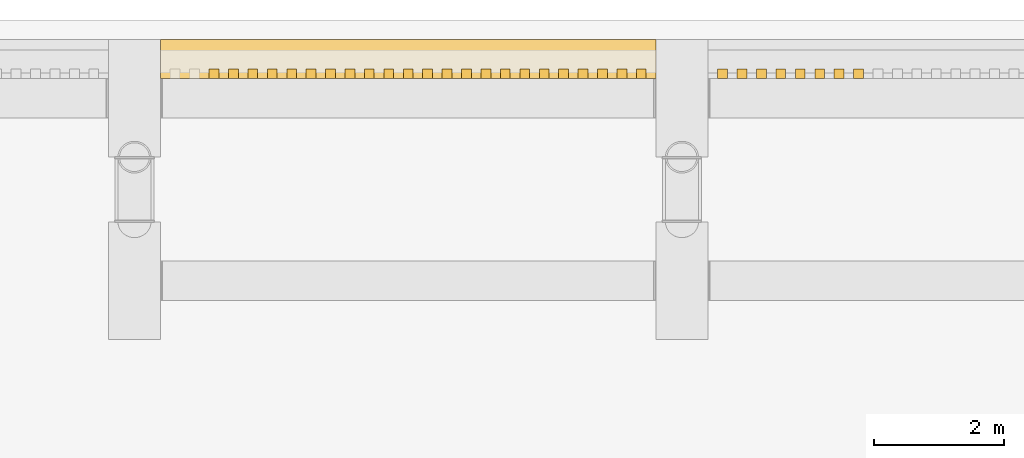
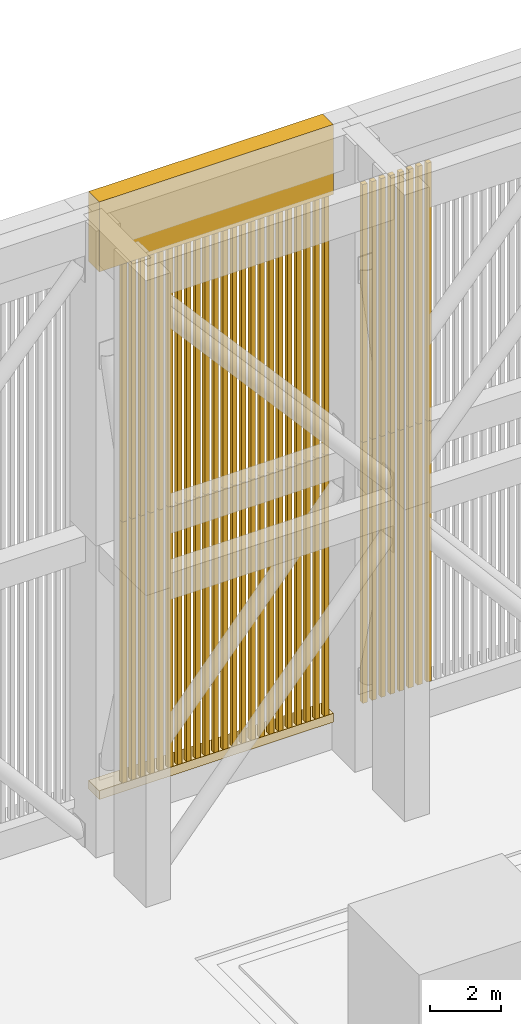
# One storey, part 24 of 27: 62 shading devices, 2 coverings.
"""IFC4 building model written with IfcOpenShell, lengths in metres."""

import ifcopenshell
import ifcopenshell.guid

model = None  # the IFC model being written
_history = None  # IfcOwnerHistory: only IFC2X3 demands one
_inside = {}  # id of a spatial element -> (the spatial element, [elements in it])
_under = {}  # id of a project, library or spatial element -> (it, [spatial elements below it])
_declared = {}  # id of a project -> (the project, [libraries it declares])
_typed = {}  # id of a type object -> (the type object, [elements of that type])
_made_of = {}  # id of a material, layer set ... -> (it, [elements and type objects made of it])


def new_model(schema):
    """Start an empty IFC model of exactly this schema.

    Asked for "IFC4X3", IfcOpenShell would pick the latest addendum, in which some entities
    have other attributes; the version numbers below select the first issue.
    IFC2X3 requires an IfcOwnerHistory on every rooted entity: one is made here for all.
    """
    global model, _history
    if schema == "IFC4X3":
        model = ifcopenshell.file(schema_version=(4, 3, 0, 0))
    else:
        model = ifcopenshell.file(schema=schema)
    _inside.clear()
    _under.clear()
    _declared.clear()
    _typed.clear()
    _made_of.clear()
    _history = None
    if model.schema == "IFC2X3":
        org = make("IfcOrganization", Name="unknown")
        user = make(
            "IfcPersonAndOrganization",
            ThePerson=make("IfcPerson", FamilyName="unknown"),
            TheOrganization=org,
        )
        app = make(
            "IfcApplication",
            ApplicationDeveloper=org,
            Version="unknown",
            ApplicationFullName="unknown",
            ApplicationIdentifier="unknown",
        )
        _history = make(
            "IfcOwnerHistory",
            OwningUser=user,
            OwningApplication=app,
            ChangeAction="ADDED",
            CreationDate=0,
        )
    return model


def make(cls, **values):
    """One entity of the class cls with the attributes given. An attribute that is None is left unset."""
    return model.create_entity(
        cls, **{name: value for name, value in values.items() if value is not None}
    )


def rooted(cls, **values):
    """An entity with a GlobalId (a new one), such as an element, a storey or a relation."""
    return make(cls, GlobalId=ifcopenshell.guid.new(), OwnerHistory=_history, **values)


def si_unit(unit_type, name, prefix=None):
    """IfcSIUnit, for example si_unit("LENGTHUNIT", "METRE", prefix="MILLI")."""
    return make("IfcSIUnit", UnitType=unit_type, Prefix=prefix, Name=name)


def assignment(units):
    """IfcUnitAssignment: the units of a project."""
    return None if units is None else make("IfcUnitAssignment", Units=units)


def point(xyz):
    """IfcCartesianPoint."""
    return None if xyz is None else make("IfcCartesianPoint", Coordinates=xyz)


def direction(xyz):
    """IfcDirection."""
    return None if xyz is None else make("IfcDirection", DirectionRatios=xyz)


def frame(location, z_axis=None, x_axis=None):
    """IfcAxis2Placement3D, a coordinate frame: its origin and axes. An axis left out is left unset."""
    return make(
        "IfcAxis2Placement3D",
        Location=point(location),
        Axis=direction(z_axis),
        RefDirection=direction(x_axis),
    )


def frame_2d(location, x_axis=None):
    """IfcAxis2Placement2D, a coordinate frame in the plane: its origin and x axis."""
    return make(
        "IfcAxis2Placement2D", Location=point(location), RefDirection=direction(x_axis)
    )


def origin():
    """The frame at (0, 0, 0) with its axes left unset."""
    return frame((0.0, 0.0, 0.0))


def origin_2d():
    """The frame at (0, 0) in the plane with its x axis left unset."""
    return frame_2d((0.0, 0.0))


def place(relative_to, where):
    """IfcLocalPlacement: puts the frame where relative to a parent placement (None: the world)."""
    return make(
        "IfcLocalPlacement", PlacementRelTo=relative_to, RelativePlacement=where
    )


def context(
    kind, dimensions, precision=None, world=None, true_north=None, identifier=None
):
    """IfcGeometricRepresentationContext, for example the 3D "Model" context."""
    return make(
        "IfcGeometricRepresentationContext",
        ContextIdentifier=identifier,
        ContextType=kind,
        CoordinateSpaceDimension=dimensions,
        Precision=precision,
        WorldCoordinateSystem=world,
        TrueNorth=true_north,
    )


def subcontext(parent, identifier, kind, view, scale=None):
    """IfcGeometricRepresentationSubContext, for example "Body" below "Model"."""
    return make(
        "IfcGeometricRepresentationSubContext",
        ContextIdentifier=identifier,
        ContextType=kind,
        ParentContext=parent,
        TargetScale=scale,
        TargetView=view,
    )


def project(units=None, contexts=None):
    """IfcProject with its units and contexts."""
    return rooted(
        "IfcProject",
        Name="project",
        RepresentationContexts=contexts,
        UnitsInContext=assignment(units),
    )


def spatial(cls, under=None, at=None, **own):
    """A site, building, storey or space (cls), placed at a placement, below another one or the project."""
    s = rooted(cls, ObjectPlacement=at, **own)
    if under is not None:
        _under.setdefault(under.id(), (under, []))[1].append(s)
    return s


def profile(cls, at=None, kind="AREA", **sizes):
    """A parametric profile (cls). Its sizes go by their IFC names, for example OverallWidth=200.0."""
    return make(cls, ProfileType=kind, Position=at, **sizes)


def rectangle(**sizes):
    """IfcRectangleProfileDef."""
    return profile("IfcRectangleProfileDef", **sizes)


def extrude(swept, where, along, depth):
    """IfcExtrudedAreaSolid: the profile swept, set in the frame where, extruded along a direction by depth."""
    return make(
        "IfcExtrudedAreaSolid",
        SweptArea=swept,
        Position=where,
        ExtrudedDirection=direction(along),
        Depth=depth,
    )


def shape(context_of_items, identifier, shape_type, items):
    """IfcShapeRepresentation: the items that make up one representation, for example the "Body"."""
    return make(
        "IfcShapeRepresentation",
        ContextOfItems=context_of_items,
        RepresentationIdentifier=identifier,
        RepresentationType=shape_type,
        Items=items,
    )


def material(Name=None, Category=None):
    """IfcMaterial."""
    return make("IfcMaterial", Name=Name, Category=Category)


def layer(
    of_material, thickness, ventilated=None, Name=None, Category=None, Priority=None
):
    """IfcMaterialLayer: one layer of a wall or slab, of a material (None: an air gap)."""
    return make(
        "IfcMaterialLayer",
        Material=of_material,
        LayerThickness=thickness,
        IsVentilated=ventilated,
        Name=Name,
        Category=Category,
        Priority=Priority,
    )


def layer_set(layers, Name=None):
    """IfcMaterialLayerSet."""
    return make("IfcMaterialLayerSet", MaterialLayers=layers, LayerSetName=Name)


def made_of(thing, what):
    """Note that an element or type object is made of a material, layer set ...; save() writes the relation."""
    if what is not None:
        _made_of.setdefault(what.id(), (what, []))[1].append(thing)
    return thing


def type_object(cls, material=None, **own):
    """A type object (cls), such as IfcWallType, which elements share."""
    return made_of(rooted(cls, **own), material)


def element(
    cls,
    number,
    at=None,
    inside=None,
    cuts=None,
    type_object=None,
    material=None,
    context=None,
    identifier="Body",
    shape_type=None,
    held_by="IfcProductDefinitionShape",
    body=None,
    shapes=None,
    **own,
):
    """One element of the class cls, such as IfcWall. Its Tag is "e" and its number.

    at: its placement. inside: the storey or other place that contains it. cuts: it is an
    opening in that element (IfcRelVoidsElement). A single representation is given by context,
    identifier, shape_type and body (its items); several are given by shapes. held_by: the class
    of the entity that holds the representations. save() writes the other relations.
    """
    e = rooted(cls, Tag="e%d" % number, ObjectPlacement=at, **own)
    if body is not None:
        shapes = [shape(context, identifier, shape_type, body)]
    if shapes is not None:
        e.Representation = make(held_by, Representations=shapes)
    if inside is not None:
        _inside.setdefault(inside.id(), (inside, []))[1].append(e)
    if cuts is not None:
        rooted(
            "IfcRelVoidsElement", RelatingBuildingElement=cuts, RelatedOpeningElement=e
        )
    if type_object is not None:
        _typed.setdefault(type_object.id(), (type_object, []))[1].append(e)
    return made_of(e, material)


def aggregate(whole, parts):
    """IfcRelAggregates: a whole, such as a stair, and the parts it consists of."""
    return rooted("IfcRelAggregates", RelatingObject=whole, RelatedObjects=parts)


def save(model, path):
    """Write the relations noted so far, then the file.

    IfcRelAggregates (storeys below a building ...), IfcRelContainedInSpatialStructure (elements
    in a storey), IfcRelDefinesByType, IfcRelAssociatesMaterial and IfcRelDeclares: one each for
    every whole, place, type object, material and project.
    """
    for whole, parts in _under.values():
        aggregate(whole, parts)
    for where, things in _inside.values():
        rooted(
            "IfcRelContainedInSpatialStructure",
            RelatedElements=things,
            RelatingStructure=where,
        )
    for kind, things in _typed.values():
        rooted("IfcRelDefinesByType", RelatedObjects=things, RelatingType=kind)
    for what, things in _made_of.values():
        rooted("IfcRelAssociatesMaterial", RelatedObjects=things, RelatingMaterial=what)
    for by, libraries in _declared.values():
        rooted("IfcRelDeclares", RelatingContext=by, RelatedDefinitions=libraries)
    model.write(path)


model = new_model("IFC4")

# Units and contexts
model_context = context("Model", 3, precision=1e-05, world=origin(), true_north=direction((0.0, 1.0)))
body_context = subcontext(model_context, "Body", "Model", "MODEL_VIEW")
ifc_project = project(units=[si_unit("LENGTHUNIT", "METRE"), si_unit("AREAUNIT", "SQUARE_METRE"), si_unit("VOLUMEUNIT", "CUBIC_METRE"), si_unit("PLANEANGLEUNIT", "RADIAN"), si_unit("MASSUNIT", "GRAM", prefix="KILO")], contexts=[model_context])

# Site, building, storey
site_placement = place(None, origin())
site = spatial("IfcSite", under=ifc_project, at=site_placement, CompositionType="ELEMENT")
building_placement = place(site_placement, origin())
building = spatial("IfcBuilding", under=site, at=building_placement, Name="Claustro Exchange Tower", CompositionType="ELEMENT")
storey_placement = place(building_placement, frame((0.0, 0.0, 287.10009765625)))
storey = spatial("IfcBuildingStorey", under=building, at=storey_placement, Name="ROOF", CompositionType="ELEMENT", Elevation=287.10009765625)

# Coverings
ifc_material_1 = material(Name="Concrete HA-40 (C40/50), precast, white cement, acid-etched", Category="concrete")
ifc_layer = layer(ifc_material_1, 0.60009765625)
ifc_layer_set = layer_set([ifc_layer], Name="Concrete HA-40 (C40/50), precast, white cement, acid-etched")
covering_type = type_object("IfcCoveringType", Name="CC2 600 precast concrete crown moulding", PredefinedType="MOLDING", material=ifc_layer_set)
covering_1_placement = place(storey_placement, frame((37.800048828125, 45.400390625, 1.10009765625), z_axis=(0.0, 0.0, 1.0), x_axis=(1.0, 0.0, 0.0)))
element("IfcCovering", 1, at=covering_1_placement, inside=storey, type_object=covering_type, Name="CROWN SILL CC2 5/F+2800 - 6/F+2800", PredefinedType="MOLDING", context=body_context, shape_type="SweptSolid", body=[
    extrude(rectangle(XDim=7.59912109375, YDim=0.60009765625, at=origin_2d()), origin(), (0.0, 0.0, 1.0), 0.300048828125),
])
covering_2_placement = place(storey_placement, frame((37.800048828125, 45.400390625, 19.199951171875), z_axis=(0.0, 0.0, 1.0), x_axis=(1.0, 0.0, 0.0)))
element("IfcCovering", 2, at=covering_2_placement, inside=storey, type_object=covering_type, Name="CROWN CORNICE CC2 5/F+2800 - 6/F+2800", PredefinedType="MOLDING", context=body_context, shape_type="SweptSolid", body=[
    extrude(rectangle(XDim=7.59912109375, YDim=0.60009765625, at=origin_2d()), origin(), (0.0, 0.0, 1.0), 2.39990234375),
])

# Shading devices
ifc_material_2 = material(Name="Concrete HA-40 (C40/50), precast, white cement, acid-etched", Category="concrete")
shading_device_type = type_object("IfcShadingDeviceType", Name="LV1 150 x 150 precast concrete crown louvre", PredefinedType="USERDEFINED", material=ifc_material_2)
shading_device_1_placement = place(storey_placement, frame((34.819580078125, 45.175537109375, 1.39990234375), z_axis=(0.0, 0.0, 1.0), x_axis=(1.0, 0.0, 0.0)))
element("IfcShadingDevice", 3, at=shading_device_1_placement, inside=storey, type_object=shading_device_type, Name="CROWN LOUVRE LV1 5/F+2800 - 6/F+2800 03 lower", ObjectType="CROWN LOUVRE", PredefinedType="USERDEFINED", context=body_context, shape_type="SweptSolid", body=[
    extrude(rectangle(XDim=0.14990234375, YDim=0.14990234375, at=origin_2d()), origin(), (0.0, 0.0, 1.0), 8.949951171875),
])
shading_device_2_placement = place(storey_placement, frame((34.819580078125, 45.175537109375, 10.349853515625), z_axis=(0.0, 0.0, 1.0), x_axis=(1.0, 0.0, 0.0)))
element("IfcShadingDevice", 4, at=shading_device_2_placement, inside=storey, type_object=shading_device_type, Name="CROWN LOUVRE LV1 5/F+2800 - 6/F+2800 03 upper", ObjectType="CROWN LOUVRE", PredefinedType="USERDEFINED", context=body_context, shape_type="SweptSolid", body=[
    extrude(rectangle(XDim=0.14990234375, YDim=0.14990234375, at=origin_2d()), origin(), (0.0, 0.0, 1.0), 8.85009765625),
])
shading_device_3_placement = place(storey_placement, frame((35.11767578125, 45.175537109375, 1.39990234375), z_axis=(0.0, 0.0, 1.0), x_axis=(1.0, 0.0, 0.0)))
element("IfcShadingDevice", 5, at=shading_device_3_placement, inside=storey, type_object=shading_device_type, Name="CROWN LOUVRE LV1 5/F+2800 - 6/F+2800 04 lower", ObjectType="CROWN LOUVRE", PredefinedType="USERDEFINED", context=body_context, shape_type="SweptSolid", body=[
    extrude(rectangle(XDim=0.14990234375, YDim=0.14990234375, at=origin_2d()), origin(), (0.0, 0.0, 1.0), 8.949951171875),
])
shading_device_4_placement = place(storey_placement, frame((35.11767578125, 45.175537109375, 10.349853515625), z_axis=(0.0, 0.0, 1.0), x_axis=(1.0, 0.0, 0.0)))
element("IfcShadingDevice", 6, at=shading_device_4_placement, inside=storey, type_object=shading_device_type, Name="CROWN LOUVRE LV1 5/F+2800 - 6/F+2800 04 upper", ObjectType="CROWN LOUVRE", PredefinedType="USERDEFINED", context=body_context, shape_type="SweptSolid", body=[
    extrude(rectangle(XDim=0.14990234375, YDim=0.14990234375, at=origin_2d()), origin(), (0.0, 0.0, 1.0), 8.85009765625),
])
shading_device_5_placement = place(storey_placement, frame((35.415771484375, 45.175537109375, 1.39990234375), z_axis=(0.0, 0.0, 1.0), x_axis=(1.0, 0.0, 0.0)))
element("IfcShadingDevice", 7, at=shading_device_5_placement, inside=storey, type_object=shading_device_type, Name="CROWN LOUVRE LV1 5/F+2800 - 6/F+2800 05 lower", ObjectType="CROWN LOUVRE", PredefinedType="USERDEFINED", context=body_context, shape_type="SweptSolid", body=[
    extrude(rectangle(XDim=0.14990234375, YDim=0.14990234375, at=origin_2d()), origin(), (0.0, 0.0, 1.0), 8.949951171875),
])
shading_device_6_placement = place(storey_placement, frame((35.415771484375, 45.175537109375, 10.349853515625), z_axis=(0.0, 0.0, 1.0), x_axis=(1.0, 0.0, 0.0)))
element("IfcShadingDevice", 8, at=shading_device_6_placement, inside=storey, type_object=shading_device_type, Name="CROWN LOUVRE LV1 5/F+2800 - 6/F+2800 05 upper", ObjectType="CROWN LOUVRE", PredefinedType="USERDEFINED", context=body_context, shape_type="SweptSolid", body=[
    extrude(rectangle(XDim=0.14990234375, YDim=0.14990234375, at=origin_2d()), origin(), (0.0, 0.0, 1.0), 8.85009765625),
])
shading_device_7_placement = place(storey_placement, frame((35.713623046875, 45.175537109375, 1.39990234375), z_axis=(0.0, 0.0, 1.0), x_axis=(1.0, 0.0, 0.0)))
element("IfcShadingDevice", 9, at=shading_device_7_placement, inside=storey, type_object=shading_device_type, Name="CROWN LOUVRE LV1 5/F+2800 - 6/F+2800 06 lower", ObjectType="CROWN LOUVRE", PredefinedType="USERDEFINED", context=body_context, shape_type="SweptSolid", body=[
    extrude(rectangle(XDim=0.14990234375, YDim=0.14990234375, at=origin_2d()), origin(), (0.0, 0.0, 1.0), 8.949951171875),
])
shading_device_8_placement = place(storey_placement, frame((35.713623046875, 45.175537109375, 10.349853515625), z_axis=(0.0, 0.0, 1.0), x_axis=(1.0, 0.0, 0.0)))
element("IfcShadingDevice", 10, at=shading_device_8_placement, inside=storey, type_object=shading_device_type, Name="CROWN LOUVRE LV1 5/F+2800 - 6/F+2800 06 upper", ObjectType="CROWN LOUVRE", PredefinedType="USERDEFINED", context=body_context, shape_type="SweptSolid", body=[
    extrude(rectangle(XDim=0.14990234375, YDim=0.14990234375, at=origin_2d()), origin(), (0.0, 0.0, 1.0), 8.85009765625),
])
shading_device_9_placement = place(storey_placement, frame((36.01171875, 45.175537109375, 1.39990234375), z_axis=(0.0, 0.0, 1.0), x_axis=(1.0, 0.0, 0.0)))
element("IfcShadingDevice", 11, at=shading_device_9_placement, inside=storey, type_object=shading_device_type, Name="CROWN LOUVRE LV1 5/F+2800 - 6/F+2800 07 lower", ObjectType="CROWN LOUVRE", PredefinedType="USERDEFINED", context=body_context, shape_type="SweptSolid", body=[
    extrude(rectangle(XDim=0.14990234375, YDim=0.14990234375, at=origin_2d()), origin(), (0.0, 0.0, 1.0), 8.949951171875),
])
shading_device_10_placement = place(storey_placement, frame((36.01171875, 45.175537109375, 10.349853515625), z_axis=(0.0, 0.0, 1.0), x_axis=(1.0, 0.0, 0.0)))
element("IfcShadingDevice", 12, at=shading_device_10_placement, inside=storey, type_object=shading_device_type, Name="CROWN LOUVRE LV1 5/F+2800 - 6/F+2800 07 upper", ObjectType="CROWN LOUVRE", PredefinedType="USERDEFINED", context=body_context, shape_type="SweptSolid", body=[
    extrude(rectangle(XDim=0.14990234375, YDim=0.14990234375, at=origin_2d()), origin(), (0.0, 0.0, 1.0), 8.85009765625),
])
shading_device_11_placement = place(storey_placement, frame((36.309814453125, 45.175537109375, 1.39990234375), z_axis=(0.0, 0.0, 1.0), x_axis=(1.0, 0.0, 0.0)))
element("IfcShadingDevice", 13, at=shading_device_11_placement, inside=storey, type_object=shading_device_type, Name="CROWN LOUVRE LV1 5/F+2800 - 6/F+2800 08 lower", ObjectType="CROWN LOUVRE", PredefinedType="USERDEFINED", context=body_context, shape_type="SweptSolid", body=[
    extrude(rectangle(XDim=0.14990234375, YDim=0.14990234375, at=origin_2d()), origin(), (0.0, 0.0, 1.0), 8.949951171875),
])
shading_device_12_placement = place(storey_placement, frame((36.309814453125, 45.175537109375, 10.349853515625), z_axis=(0.0, 0.0, 1.0), x_axis=(1.0, 0.0, 0.0)))
element("IfcShadingDevice", 14, at=shading_device_12_placement, inside=storey, type_object=shading_device_type, Name="CROWN LOUVRE LV1 5/F+2800 - 6/F+2800 08 upper", ObjectType="CROWN LOUVRE", PredefinedType="USERDEFINED", context=body_context, shape_type="SweptSolid", body=[
    extrude(rectangle(XDim=0.14990234375, YDim=0.14990234375, at=origin_2d()), origin(), (0.0, 0.0, 1.0), 8.85009765625),
])
shading_device_13_placement = place(storey_placement, frame((36.60791015625, 45.175537109375, 1.39990234375), z_axis=(0.0, 0.0, 1.0), x_axis=(1.0, 0.0, 0.0)))
element("IfcShadingDevice", 15, at=shading_device_13_placement, inside=storey, type_object=shading_device_type, Name="CROWN LOUVRE LV1 5/F+2800 - 6/F+2800 09 lower", ObjectType="CROWN LOUVRE", PredefinedType="USERDEFINED", context=body_context, shape_type="SweptSolid", body=[
    extrude(rectangle(XDim=0.14990234375, YDim=0.14990234375, at=origin_2d()), origin(), (0.0, 0.0, 1.0), 8.949951171875),
])
shading_device_14_placement = place(storey_placement, frame((36.60791015625, 45.175537109375, 10.349853515625), z_axis=(0.0, 0.0, 1.0), x_axis=(1.0, 0.0, 0.0)))
element("IfcShadingDevice", 16, at=shading_device_14_placement, inside=storey, type_object=shading_device_type, Name="CROWN LOUVRE LV1 5/F+2800 - 6/F+2800 09 upper", ObjectType="CROWN LOUVRE", PredefinedType="USERDEFINED", context=body_context, shape_type="SweptSolid", body=[
    extrude(rectangle(XDim=0.14990234375, YDim=0.14990234375, at=origin_2d()), origin(), (0.0, 0.0, 1.0), 8.85009765625),
])
shading_device_15_placement = place(storey_placement, frame((36.906005859375, 45.175537109375, 1.39990234375), z_axis=(0.0, 0.0, 1.0), x_axis=(1.0, 0.0, 0.0)))
element("IfcShadingDevice", 17, at=shading_device_15_placement, inside=storey, type_object=shading_device_type, Name="CROWN LOUVRE LV1 5/F+2800 - 6/F+2800 10 lower", ObjectType="CROWN LOUVRE", PredefinedType="USERDEFINED", context=body_context, shape_type="SweptSolid", body=[
    extrude(rectangle(XDim=0.14990234375, YDim=0.14990234375, at=origin_2d()), origin(), (0.0, 0.0, 1.0), 8.949951171875),
])
shading_device_16_placement = place(storey_placement, frame((36.906005859375, 45.175537109375, 10.349853515625), z_axis=(0.0, 0.0, 1.0), x_axis=(1.0, 0.0, 0.0)))
element("IfcShadingDevice", 18, at=shading_device_16_placement, inside=storey, type_object=shading_device_type, Name="CROWN LOUVRE LV1 5/F+2800 - 6/F+2800 10 upper", ObjectType="CROWN LOUVRE", PredefinedType="USERDEFINED", context=body_context, shape_type="SweptSolid", body=[
    extrude(rectangle(XDim=0.14990234375, YDim=0.14990234375, at=origin_2d()), origin(), (0.0, 0.0, 1.0), 8.85009765625),
])
shading_device_17_placement = place(storey_placement, frame((37.203857421875, 45.175537109375, 1.39990234375), z_axis=(0.0, 0.0, 1.0), x_axis=(1.0, 0.0, 0.0)))
element("IfcShadingDevice", 19, at=shading_device_17_placement, inside=storey, type_object=shading_device_type, Name="CROWN LOUVRE LV1 5/F+2800 - 6/F+2800 11 lower", ObjectType="CROWN LOUVRE", PredefinedType="USERDEFINED", context=body_context, shape_type="SweptSolid", body=[
    extrude(rectangle(XDim=0.14990234375, YDim=0.14990234375, at=origin_2d()), origin(), (0.0, 0.0, 1.0), 8.949951171875),
])
shading_device_18_placement = place(storey_placement, frame((37.203857421875, 45.175537109375, 10.349853515625), z_axis=(0.0, 0.0, 1.0), x_axis=(1.0, 0.0, 0.0)))
element("IfcShadingDevice", 20, at=shading_device_18_placement, inside=storey, type_object=shading_device_type, Name="CROWN LOUVRE LV1 5/F+2800 - 6/F+2800 11 upper", ObjectType="CROWN LOUVRE", PredefinedType="USERDEFINED", context=body_context, shape_type="SweptSolid", body=[
    extrude(rectangle(XDim=0.14990234375, YDim=0.14990234375, at=origin_2d()), origin(), (0.0, 0.0, 1.0), 8.85009765625),
])
shading_device_19_placement = place(storey_placement, frame((37.501953125, 45.175537109375, 1.39990234375), z_axis=(0.0, 0.0, 1.0), x_axis=(1.0, 0.0, 0.0)))
element("IfcShadingDevice", 21, at=shading_device_19_placement, inside=storey, type_object=shading_device_type, Name="CROWN LOUVRE LV1 5/F+2800 - 6/F+2800 12 lower", ObjectType="CROWN LOUVRE", PredefinedType="USERDEFINED", context=body_context, shape_type="SweptSolid", body=[
    extrude(rectangle(XDim=0.14990234375, YDim=0.14990234375, at=origin_2d()), origin(), (0.0, 0.0, 1.0), 8.949951171875),
])
shading_device_20_placement = place(storey_placement, frame((37.501953125, 45.175537109375, 10.349853515625), z_axis=(0.0, 0.0, 1.0), x_axis=(1.0, 0.0, 0.0)))
element("IfcShadingDevice", 22, at=shading_device_20_placement, inside=storey, type_object=shading_device_type, Name="CROWN LOUVRE LV1 5/F+2800 - 6/F+2800 12 upper", ObjectType="CROWN LOUVRE", PredefinedType="USERDEFINED", context=body_context, shape_type="SweptSolid", body=[
    extrude(rectangle(XDim=0.14990234375, YDim=0.14990234375, at=origin_2d()), origin(), (0.0, 0.0, 1.0), 8.85009765625),
])
shading_device_21_placement = place(storey_placement, frame((37.800048828125, 45.175537109375, 1.39990234375), z_axis=(0.0, 0.0, 1.0), x_axis=(1.0, 0.0, 0.0)))
element("IfcShadingDevice", 23, at=shading_device_21_placement, inside=storey, type_object=shading_device_type, Name="CROWN LOUVRE LV1 5/F+2800 - 6/F+2800 13 lower", ObjectType="CROWN LOUVRE", PredefinedType="USERDEFINED", context=body_context, shape_type="SweptSolid", body=[
    extrude(rectangle(XDim=0.14990234375, YDim=0.14990234375, at=origin_2d()), origin(), (0.0, 0.0, 1.0), 8.949951171875),
])
shading_device_22_placement = place(storey_placement, frame((37.800048828125, 45.175537109375, 10.349853515625), z_axis=(0.0, 0.0, 1.0), x_axis=(1.0, 0.0, 0.0)))
element("IfcShadingDevice", 24, at=shading_device_22_placement, inside=storey, type_object=shading_device_type, Name="CROWN LOUVRE LV1 5/F+2800 - 6/F+2800 13 upper", ObjectType="CROWN LOUVRE", PredefinedType="USERDEFINED", context=body_context, shape_type="SweptSolid", body=[
    extrude(rectangle(XDim=0.14990234375, YDim=0.14990234375, at=origin_2d()), origin(), (0.0, 0.0, 1.0), 8.85009765625),
])
shading_device_23_placement = place(storey_placement, frame((38.097900390625, 45.175537109375, 1.39990234375), z_axis=(0.0, 0.0, 1.0), x_axis=(1.0, 0.0, 0.0)))
element("IfcShadingDevice", 25, at=shading_device_23_placement, inside=storey, type_object=shading_device_type, Name="CROWN LOUVRE LV1 5/F+2800 - 6/F+2800 14 lower", ObjectType="CROWN LOUVRE", PredefinedType="USERDEFINED", context=body_context, shape_type="SweptSolid", body=[
    extrude(rectangle(XDim=0.14990234375, YDim=0.14990234375, at=origin_2d()), origin(), (0.0, 0.0, 1.0), 8.949951171875),
])
shading_device_24_placement = place(storey_placement, frame((38.097900390625, 45.175537109375, 10.349853515625), z_axis=(0.0, 0.0, 1.0), x_axis=(1.0, 0.0, 0.0)))
element("IfcShadingDevice", 26, at=shading_device_24_placement, inside=storey, type_object=shading_device_type, Name="CROWN LOUVRE LV1 5/F+2800 - 6/F+2800 14 upper", ObjectType="CROWN LOUVRE", PredefinedType="USERDEFINED", context=body_context, shape_type="SweptSolid", body=[
    extrude(rectangle(XDim=0.14990234375, YDim=0.14990234375, at=origin_2d()), origin(), (0.0, 0.0, 1.0), 8.85009765625),
])
shading_device_25_placement = place(storey_placement, frame((38.39599609375, 45.175537109375, 1.39990234375), z_axis=(0.0, 0.0, 1.0), x_axis=(1.0, 0.0, 0.0)))
element("IfcShadingDevice", 27, at=shading_device_25_placement, inside=storey, type_object=shading_device_type, Name="CROWN LOUVRE LV1 5/F+2800 - 6/F+2800 15 lower", ObjectType="CROWN LOUVRE", PredefinedType="USERDEFINED", context=body_context, shape_type="SweptSolid", body=[
    extrude(rectangle(XDim=0.14990234375, YDim=0.14990234375, at=origin_2d()), origin(), (0.0, 0.0, 1.0), 8.949951171875),
])
shading_device_26_placement = place(storey_placement, frame((38.39599609375, 45.175537109375, 10.349853515625), z_axis=(0.0, 0.0, 1.0), x_axis=(1.0, 0.0, 0.0)))
element("IfcShadingDevice", 28, at=shading_device_26_placement, inside=storey, type_object=shading_device_type, Name="CROWN LOUVRE LV1 5/F+2800 - 6/F+2800 15 upper", ObjectType="CROWN LOUVRE", PredefinedType="USERDEFINED", context=body_context, shape_type="SweptSolid", body=[
    extrude(rectangle(XDim=0.14990234375, YDim=0.14990234375, at=origin_2d()), origin(), (0.0, 0.0, 1.0), 8.85009765625),
])
shading_device_27_placement = place(storey_placement, frame((38.694091796875, 45.175537109375, 1.39990234375), z_axis=(0.0, 0.0, 1.0), x_axis=(1.0, 0.0, 0.0)))
element("IfcShadingDevice", 29, at=shading_device_27_placement, inside=storey, type_object=shading_device_type, Name="CROWN LOUVRE LV1 5/F+2800 - 6/F+2800 16 lower", ObjectType="CROWN LOUVRE", PredefinedType="USERDEFINED", context=body_context, shape_type="SweptSolid", body=[
    extrude(rectangle(XDim=0.14990234375, YDim=0.14990234375, at=origin_2d()), origin(), (0.0, 0.0, 1.0), 8.949951171875),
])
shading_device_28_placement = place(storey_placement, frame((38.694091796875, 45.175537109375, 10.349853515625), z_axis=(0.0, 0.0, 1.0), x_axis=(1.0, 0.0, 0.0)))
element("IfcShadingDevice", 30, at=shading_device_28_placement, inside=storey, type_object=shading_device_type, Name="CROWN LOUVRE LV1 5/F+2800 - 6/F+2800 16 upper", ObjectType="CROWN LOUVRE", PredefinedType="USERDEFINED", context=body_context, shape_type="SweptSolid", body=[
    extrude(rectangle(XDim=0.14990234375, YDim=0.14990234375, at=origin_2d()), origin(), (0.0, 0.0, 1.0), 8.85009765625),
])
shading_device_29_placement = place(storey_placement, frame((38.9921875, 45.175537109375, 1.39990234375), z_axis=(0.0, 0.0, 1.0), x_axis=(1.0, 0.0, 0.0)))
element("IfcShadingDevice", 31, at=shading_device_29_placement, inside=storey, type_object=shading_device_type, Name="CROWN LOUVRE LV1 5/F+2800 - 6/F+2800 17 lower", ObjectType="CROWN LOUVRE", PredefinedType="USERDEFINED", context=body_context, shape_type="SweptSolid", body=[
    extrude(rectangle(XDim=0.14990234375, YDim=0.14990234375, at=origin_2d()), origin(), (0.0, 0.0, 1.0), 8.949951171875),
])
shading_device_30_placement = place(storey_placement, frame((38.9921875, 45.175537109375, 10.349853515625), z_axis=(0.0, 0.0, 1.0), x_axis=(1.0, 0.0, 0.0)))
element("IfcShadingDevice", 32, at=shading_device_30_placement, inside=storey, type_object=shading_device_type, Name="CROWN LOUVRE LV1 5/F+2800 - 6/F+2800 17 upper", ObjectType="CROWN LOUVRE", PredefinedType="USERDEFINED", context=body_context, shape_type="SweptSolid", body=[
    extrude(rectangle(XDim=0.14990234375, YDim=0.14990234375, at=origin_2d()), origin(), (0.0, 0.0, 1.0), 8.85009765625),
])
shading_device_31_placement = place(storey_placement, frame((39.290283203125, 45.175537109375, 1.39990234375), z_axis=(0.0, 0.0, 1.0), x_axis=(1.0, 0.0, 0.0)))
element("IfcShadingDevice", 33, at=shading_device_31_placement, inside=storey, type_object=shading_device_type, Name="CROWN LOUVRE LV1 5/F+2800 - 6/F+2800 18 lower", ObjectType="CROWN LOUVRE", PredefinedType="USERDEFINED", context=body_context, shape_type="SweptSolid", body=[
    extrude(rectangle(XDim=0.14990234375, YDim=0.14990234375, at=origin_2d()), origin(), (0.0, 0.0, 1.0), 8.949951171875),
])
shading_device_32_placement = place(storey_placement, frame((39.290283203125, 45.175537109375, 10.349853515625), z_axis=(0.0, 0.0, 1.0), x_axis=(1.0, 0.0, 0.0)))
element("IfcShadingDevice", 34, at=shading_device_32_placement, inside=storey, type_object=shading_device_type, Name="CROWN LOUVRE LV1 5/F+2800 - 6/F+2800 18 upper", ObjectType="CROWN LOUVRE", PredefinedType="USERDEFINED", context=body_context, shape_type="SweptSolid", body=[
    extrude(rectangle(XDim=0.14990234375, YDim=0.14990234375, at=origin_2d()), origin(), (0.0, 0.0, 1.0), 8.85009765625),
])
shading_device_33_placement = place(storey_placement, frame((39.588134765625, 45.175537109375, 1.39990234375), z_axis=(0.0, 0.0, 1.0), x_axis=(1.0, 0.0, 0.0)))
element("IfcShadingDevice", 35, at=shading_device_33_placement, inside=storey, type_object=shading_device_type, Name="CROWN LOUVRE LV1 5/F+2800 - 6/F+2800 19 lower", ObjectType="CROWN LOUVRE", PredefinedType="USERDEFINED", context=body_context, shape_type="SweptSolid", body=[
    extrude(rectangle(XDim=0.14990234375, YDim=0.14990234375, at=origin_2d()), origin(), (0.0, 0.0, 1.0), 8.949951171875),
])
shading_device_34_placement = place(storey_placement, frame((39.588134765625, 45.175537109375, 10.349853515625), z_axis=(0.0, 0.0, 1.0), x_axis=(1.0, 0.0, 0.0)))
element("IfcShadingDevice", 36, at=shading_device_34_placement, inside=storey, type_object=shading_device_type, Name="CROWN LOUVRE LV1 5/F+2800 - 6/F+2800 19 upper", ObjectType="CROWN LOUVRE", PredefinedType="USERDEFINED", context=body_context, shape_type="SweptSolid", body=[
    extrude(rectangle(XDim=0.14990234375, YDim=0.14990234375, at=origin_2d()), origin(), (0.0, 0.0, 1.0), 8.85009765625),
])
shading_device_35_placement = place(storey_placement, frame((39.88623046875, 45.175537109375, 1.39990234375), z_axis=(0.0, 0.0, 1.0), x_axis=(1.0, 0.0, 0.0)))
element("IfcShadingDevice", 37, at=shading_device_35_placement, inside=storey, type_object=shading_device_type, Name="CROWN LOUVRE LV1 5/F+2800 - 6/F+2800 20 lower", ObjectType="CROWN LOUVRE", PredefinedType="USERDEFINED", context=body_context, shape_type="SweptSolid", body=[
    extrude(rectangle(XDim=0.14990234375, YDim=0.14990234375, at=origin_2d()), origin(), (0.0, 0.0, 1.0), 8.949951171875),
])
shading_device_36_placement = place(storey_placement, frame((39.88623046875, 45.175537109375, 10.349853515625), z_axis=(0.0, 0.0, 1.0), x_axis=(1.0, 0.0, 0.0)))
element("IfcShadingDevice", 38, at=shading_device_36_placement, inside=storey, type_object=shading_device_type, Name="CROWN LOUVRE LV1 5/F+2800 - 6/F+2800 20 upper", ObjectType="CROWN LOUVRE", PredefinedType="USERDEFINED", context=body_context, shape_type="SweptSolid", body=[
    extrude(rectangle(XDim=0.14990234375, YDim=0.14990234375, at=origin_2d()), origin(), (0.0, 0.0, 1.0), 8.85009765625),
])
shading_device_37_placement = place(storey_placement, frame((40.184326171875, 45.175537109375, 1.39990234375), z_axis=(0.0, 0.0, 1.0), x_axis=(1.0, 0.0, 0.0)))
element("IfcShadingDevice", 39, at=shading_device_37_placement, inside=storey, type_object=shading_device_type, Name="CROWN LOUVRE LV1 5/F+2800 - 6/F+2800 21 lower", ObjectType="CROWN LOUVRE", PredefinedType="USERDEFINED", context=body_context, shape_type="SweptSolid", body=[
    extrude(rectangle(XDim=0.14990234375, YDim=0.14990234375, at=origin_2d()), origin(), (0.0, 0.0, 1.0), 8.949951171875),
])
shading_device_38_placement = place(storey_placement, frame((40.184326171875, 45.175537109375, 10.349853515625), z_axis=(0.0, 0.0, 1.0), x_axis=(1.0, 0.0, 0.0)))
element("IfcShadingDevice", 40, at=shading_device_38_placement, inside=storey, type_object=shading_device_type, Name="CROWN LOUVRE LV1 5/F+2800 - 6/F+2800 21 upper", ObjectType="CROWN LOUVRE", PredefinedType="USERDEFINED", context=body_context, shape_type="SweptSolid", body=[
    extrude(rectangle(XDim=0.14990234375, YDim=0.14990234375, at=origin_2d()), origin(), (0.0, 0.0, 1.0), 8.85009765625),
])
shading_device_39_placement = place(storey_placement, frame((40.482421875, 45.175537109375, 1.39990234375), z_axis=(0.0, 0.0, 1.0), x_axis=(1.0, 0.0, 0.0)))
element("IfcShadingDevice", 41, at=shading_device_39_placement, inside=storey, type_object=shading_device_type, Name="CROWN LOUVRE LV1 5/F+2800 - 6/F+2800 22 lower", ObjectType="CROWN LOUVRE", PredefinedType="USERDEFINED", context=body_context, shape_type="SweptSolid", body=[
    extrude(rectangle(XDim=0.14990234375, YDim=0.14990234375, at=origin_2d()), origin(), (0.0, 0.0, 1.0), 8.949951171875),
])
shading_device_40_placement = place(storey_placement, frame((40.482421875, 45.175537109375, 10.349853515625), z_axis=(0.0, 0.0, 1.0), x_axis=(1.0, 0.0, 0.0)))
element("IfcShadingDevice", 42, at=shading_device_40_placement, inside=storey, type_object=shading_device_type, Name="CROWN LOUVRE LV1 5/F+2800 - 6/F+2800 22 upper", ObjectType="CROWN LOUVRE", PredefinedType="USERDEFINED", context=body_context, shape_type="SweptSolid", body=[
    extrude(rectangle(XDim=0.14990234375, YDim=0.14990234375, at=origin_2d()), origin(), (0.0, 0.0, 1.0), 8.85009765625),
])
shading_device_41_placement = place(storey_placement, frame((40.780517578125, 45.175537109375, 1.39990234375), z_axis=(0.0, 0.0, 1.0), x_axis=(1.0, 0.0, 0.0)))
element("IfcShadingDevice", 43, at=shading_device_41_placement, inside=storey, type_object=shading_device_type, Name="CROWN LOUVRE LV1 5/F+2800 - 6/F+2800 23 lower", ObjectType="CROWN LOUVRE", PredefinedType="USERDEFINED", context=body_context, shape_type="SweptSolid", body=[
    extrude(rectangle(XDim=0.14990234375, YDim=0.14990234375, at=origin_2d()), origin(), (0.0, 0.0, 1.0), 8.949951171875),
])
shading_device_42_placement = place(storey_placement, frame((40.780517578125, 45.175537109375, 10.349853515625), z_axis=(0.0, 0.0, 1.0), x_axis=(1.0, 0.0, 0.0)))
element("IfcShadingDevice", 44, at=shading_device_42_placement, inside=storey, type_object=shading_device_type, Name="CROWN LOUVRE LV1 5/F+2800 - 6/F+2800 23 upper", ObjectType="CROWN LOUVRE", PredefinedType="USERDEFINED", context=body_context, shape_type="SweptSolid", body=[
    extrude(rectangle(XDim=0.14990234375, YDim=0.14990234375, at=origin_2d()), origin(), (0.0, 0.0, 1.0), 8.85009765625),
])
shading_device_43_placement = place(storey_placement, frame((41.078369140625, 45.175537109375, 1.39990234375), z_axis=(0.0, 0.0, 1.0), x_axis=(1.0, 0.0, 0.0)))
element("IfcShadingDevice", 45, at=shading_device_43_placement, inside=storey, type_object=shading_device_type, Name="CROWN LOUVRE LV1 5/F+2800 - 6/F+2800 24 lower", ObjectType="CROWN LOUVRE", PredefinedType="USERDEFINED", context=body_context, shape_type="SweptSolid", body=[
    extrude(rectangle(XDim=0.14990234375, YDim=0.14990234375, at=origin_2d()), origin(), (0.0, 0.0, 1.0), 8.949951171875),
])
shading_device_44_placement = place(storey_placement, frame((41.078369140625, 45.175537109375, 10.349853515625), z_axis=(0.0, 0.0, 1.0), x_axis=(1.0, 0.0, 0.0)))
element("IfcShadingDevice", 46, at=shading_device_44_placement, inside=storey, type_object=shading_device_type, Name="CROWN LOUVRE LV1 5/F+2800 - 6/F+2800 24 upper", ObjectType="CROWN LOUVRE", PredefinedType="USERDEFINED", context=body_context, shape_type="SweptSolid", body=[
    extrude(rectangle(XDim=0.14990234375, YDim=0.14990234375, at=origin_2d()), origin(), (0.0, 0.0, 1.0), 8.85009765625),
])
shading_device_45_placement = place(storey_placement, frame((41.37646484375, 45.175537109375, 1.39990234375), z_axis=(0.0, 0.0, 1.0), x_axis=(1.0, 0.0, 0.0)))
element("IfcShadingDevice", 47, at=shading_device_45_placement, inside=storey, type_object=shading_device_type, Name="CROWN LOUVRE LV1 5/F+2800 - 6/F+2800 25 lower", ObjectType="CROWN LOUVRE", PredefinedType="USERDEFINED", context=body_context, shape_type="SweptSolid", body=[
    extrude(rectangle(XDim=0.14990234375, YDim=0.14990234375, at=origin_2d()), origin(), (0.0, 0.0, 1.0), 8.949951171875),
])
shading_device_46_placement = place(storey_placement, frame((41.37646484375, 45.175537109375, 10.349853515625), z_axis=(0.0, 0.0, 1.0), x_axis=(1.0, 0.0, 0.0)))
element("IfcShadingDevice", 48, at=shading_device_46_placement, inside=storey, type_object=shading_device_type, Name="CROWN LOUVRE LV1 5/F+2800 - 6/F+2800 25 upper", ObjectType="CROWN LOUVRE", PredefinedType="USERDEFINED", context=body_context, shape_type="SweptSolid", body=[
    extrude(rectangle(XDim=0.14990234375, YDim=0.14990234375, at=origin_2d()), origin(), (0.0, 0.0, 1.0), 8.85009765625),
])
shading_device_47_placement = place(storey_placement, frame((42.62353515625, 45.175537109375, 1.39990234375), z_axis=(0.0, 0.0, 1.0), x_axis=(1.0, 0.0, 0.0)))
element("IfcShadingDevice", 49, at=shading_device_47_placement, inside=storey, type_object=shading_device_type, Name="CROWN LOUVRE LV1 6/F+2800 - 7/F+2800 01 lower", ObjectType="CROWN LOUVRE", PredefinedType="USERDEFINED", context=body_context, shape_type="SweptSolid", body=[
    extrude(rectangle(XDim=0.14990234375, YDim=0.14990234375, at=origin_2d()), origin(), (0.0, 0.0, 1.0), 8.949951171875),
])
shading_device_48_placement = place(storey_placement, frame((42.62353515625, 45.175537109375, 10.349853515625), z_axis=(0.0, 0.0, 1.0), x_axis=(1.0, 0.0, 0.0)))
element("IfcShadingDevice", 50, at=shading_device_48_placement, inside=storey, type_object=shading_device_type, Name="CROWN LOUVRE LV1 6/F+2800 - 7/F+2800 01 upper", ObjectType="CROWN LOUVRE", PredefinedType="USERDEFINED", context=body_context, shape_type="SweptSolid", body=[
    extrude(rectangle(XDim=0.14990234375, YDim=0.14990234375, at=origin_2d()), origin(), (0.0, 0.0, 1.0), 8.85009765625),
])
shading_device_49_placement = place(storey_placement, frame((42.921630859375, 45.175537109375, 1.39990234375), z_axis=(0.0, 0.0, 1.0), x_axis=(1.0, 0.0, 0.0)))
element("IfcShadingDevice", 51, at=shading_device_49_placement, inside=storey, type_object=shading_device_type, Name="CROWN LOUVRE LV1 6/F+2800 - 7/F+2800 02 lower", ObjectType="CROWN LOUVRE", PredefinedType="USERDEFINED", context=body_context, shape_type="SweptSolid", body=[
    extrude(rectangle(XDim=0.14990234375, YDim=0.14990234375, at=origin_2d()), origin(), (0.0, 0.0, 1.0), 8.949951171875),
])
shading_device_50_placement = place(storey_placement, frame((42.921630859375, 45.175537109375, 10.349853515625), z_axis=(0.0, 0.0, 1.0), x_axis=(1.0, 0.0, 0.0)))
element("IfcShadingDevice", 52, at=shading_device_50_placement, inside=storey, type_object=shading_device_type, Name="CROWN LOUVRE LV1 6/F+2800 - 7/F+2800 02 upper", ObjectType="CROWN LOUVRE", PredefinedType="USERDEFINED", context=body_context, shape_type="SweptSolid", body=[
    extrude(rectangle(XDim=0.14990234375, YDim=0.14990234375, at=origin_2d()), origin(), (0.0, 0.0, 1.0), 8.85009765625),
])
shading_device_51_placement = place(storey_placement, frame((43.219482421875, 45.175537109375, 1.39990234375), z_axis=(0.0, 0.0, 1.0), x_axis=(1.0, 0.0, 0.0)))
element("IfcShadingDevice", 53, at=shading_device_51_placement, inside=storey, type_object=shading_device_type, Name="CROWN LOUVRE LV1 6/F+2800 - 7/F+2800 03 lower", ObjectType="CROWN LOUVRE", PredefinedType="USERDEFINED", context=body_context, shape_type="SweptSolid", body=[
    extrude(rectangle(XDim=0.14990234375, YDim=0.14990234375, at=origin_2d()), origin(), (0.0, 0.0, 1.0), 8.949951171875),
])
shading_device_52_placement = place(storey_placement, frame((43.219482421875, 45.175537109375, 10.349853515625), z_axis=(0.0, 0.0, 1.0), x_axis=(1.0, 0.0, 0.0)))
element("IfcShadingDevice", 54, at=shading_device_52_placement, inside=storey, type_object=shading_device_type, Name="CROWN LOUVRE LV1 6/F+2800 - 7/F+2800 03 upper", ObjectType="CROWN LOUVRE", PredefinedType="USERDEFINED", context=body_context, shape_type="SweptSolid", body=[
    extrude(rectangle(XDim=0.14990234375, YDim=0.14990234375, at=origin_2d()), origin(), (0.0, 0.0, 1.0), 8.85009765625),
])
shading_device_53_placement = place(storey_placement, frame((43.517578125, 45.175537109375, 1.39990234375), z_axis=(0.0, 0.0, 1.0), x_axis=(1.0, 0.0, 0.0)))
element("IfcShadingDevice", 55, at=shading_device_53_placement, inside=storey, type_object=shading_device_type, Name="CROWN LOUVRE LV1 6/F+2800 - 7/F+2800 04 lower", ObjectType="CROWN LOUVRE", PredefinedType="USERDEFINED", context=body_context, shape_type="SweptSolid", body=[
    extrude(rectangle(XDim=0.14990234375, YDim=0.14990234375, at=origin_2d()), origin(), (0.0, 0.0, 1.0), 8.949951171875),
])
shading_device_54_placement = place(storey_placement, frame((43.517578125, 45.175537109375, 10.349853515625), z_axis=(0.0, 0.0, 1.0), x_axis=(1.0, 0.0, 0.0)))
element("IfcShadingDevice", 56, at=shading_device_54_placement, inside=storey, type_object=shading_device_type, Name="CROWN LOUVRE LV1 6/F+2800 - 7/F+2800 04 upper", ObjectType="CROWN LOUVRE", PredefinedType="USERDEFINED", context=body_context, shape_type="SweptSolid", body=[
    extrude(rectangle(XDim=0.14990234375, YDim=0.14990234375, at=origin_2d()), origin(), (0.0, 0.0, 1.0), 8.85009765625),
])
shading_device_55_placement = place(storey_placement, frame((43.815673828125, 45.175537109375, 1.39990234375), z_axis=(0.0, 0.0, 1.0), x_axis=(1.0, 0.0, 0.0)))
element("IfcShadingDevice", 57, at=shading_device_55_placement, inside=storey, type_object=shading_device_type, Name="CROWN LOUVRE LV1 6/F+2800 - 7/F+2800 05 lower", ObjectType="CROWN LOUVRE", PredefinedType="USERDEFINED", context=body_context, shape_type="SweptSolid", body=[
    extrude(rectangle(XDim=0.14990234375, YDim=0.14990234375, at=origin_2d()), origin(), (0.0, 0.0, 1.0), 8.949951171875),
])
shading_device_56_placement = place(storey_placement, frame((43.815673828125, 45.175537109375, 10.349853515625), z_axis=(0.0, 0.0, 1.0), x_axis=(1.0, 0.0, 0.0)))
element("IfcShadingDevice", 58, at=shading_device_56_placement, inside=storey, type_object=shading_device_type, Name="CROWN LOUVRE LV1 6/F+2800 - 7/F+2800 05 upper", ObjectType="CROWN LOUVRE", PredefinedType="USERDEFINED", context=body_context, shape_type="SweptSolid", body=[
    extrude(rectangle(XDim=0.14990234375, YDim=0.14990234375, at=origin_2d()), origin(), (0.0, 0.0, 1.0), 8.85009765625),
])
shading_device_57_placement = place(storey_placement, frame((44.11376953125, 45.175537109375, 1.39990234375), z_axis=(0.0, 0.0, 1.0), x_axis=(1.0, 0.0, 0.0)))
element("IfcShadingDevice", 59, at=shading_device_57_placement, inside=storey, type_object=shading_device_type, Name="CROWN LOUVRE LV1 6/F+2800 - 7/F+2800 06 lower", ObjectType="CROWN LOUVRE", PredefinedType="USERDEFINED", context=body_context, shape_type="SweptSolid", body=[
    extrude(rectangle(XDim=0.14990234375, YDim=0.14990234375, at=origin_2d()), origin(), (0.0, 0.0, 1.0), 8.949951171875),
])
shading_device_58_placement = place(storey_placement, frame((44.11376953125, 45.175537109375, 10.349853515625), z_axis=(0.0, 0.0, 1.0), x_axis=(1.0, 0.0, 0.0)))
element("IfcShadingDevice", 60, at=shading_device_58_placement, inside=storey, type_object=shading_device_type, Name="CROWN LOUVRE LV1 6/F+2800 - 7/F+2800 06 upper", ObjectType="CROWN LOUVRE", PredefinedType="USERDEFINED", context=body_context, shape_type="SweptSolid", body=[
    extrude(rectangle(XDim=0.14990234375, YDim=0.14990234375, at=origin_2d()), origin(), (0.0, 0.0, 1.0), 8.85009765625),
])
shading_device_59_placement = place(storey_placement, frame((44.411865234375, 45.175537109375, 1.39990234375), z_axis=(0.0, 0.0, 1.0), x_axis=(1.0, 0.0, 0.0)))
element("IfcShadingDevice", 61, at=shading_device_59_placement, inside=storey, type_object=shading_device_type, Name="CROWN LOUVRE LV1 6/F+2800 - 7/F+2800 07 lower", ObjectType="CROWN LOUVRE", PredefinedType="USERDEFINED", context=body_context, shape_type="SweptSolid", body=[
    extrude(rectangle(XDim=0.14990234375, YDim=0.14990234375, at=origin_2d()), origin(), (0.0, 0.0, 1.0), 8.949951171875),
])
shading_device_60_placement = place(storey_placement, frame((44.411865234375, 45.175537109375, 10.349853515625), z_axis=(0.0, 0.0, 1.0), x_axis=(1.0, 0.0, 0.0)))
element("IfcShadingDevice", 62, at=shading_device_60_placement, inside=storey, type_object=shading_device_type, Name="CROWN LOUVRE LV1 6/F+2800 - 7/F+2800 07 upper", ObjectType="CROWN LOUVRE", PredefinedType="USERDEFINED", context=body_context, shape_type="SweptSolid", body=[
    extrude(rectangle(XDim=0.14990234375, YDim=0.14990234375, at=origin_2d()), origin(), (0.0, 0.0, 1.0), 8.85009765625),
])
shading_device_61_placement = place(storey_placement, frame((44.709716796875, 45.175537109375, 1.39990234375), z_axis=(0.0, 0.0, 1.0), x_axis=(1.0, 0.0, 0.0)))
element("IfcShadingDevice", 63, at=shading_device_61_placement, inside=storey, type_object=shading_device_type, Name="CROWN LOUVRE LV1 6/F+2800 - 7/F+2800 08 lower", ObjectType="CROWN LOUVRE", PredefinedType="USERDEFINED", context=body_context, shape_type="SweptSolid", body=[
    extrude(rectangle(XDim=0.14990234375, YDim=0.14990234375, at=origin_2d()), origin(), (0.0, 0.0, 1.0), 8.949951171875),
])
shading_device_62_placement = place(storey_placement, frame((44.709716796875, 45.175537109375, 10.349853515625), z_axis=(0.0, 0.0, 1.0), x_axis=(1.0, 0.0, 0.0)))
element("IfcShadingDevice", 64, at=shading_device_62_placement, inside=storey, type_object=shading_device_type, Name="CROWN LOUVRE LV1 6/F+2800 - 7/F+2800 08 upper", ObjectType="CROWN LOUVRE", PredefinedType="USERDEFINED", context=body_context, shape_type="SweptSolid", body=[
    extrude(rectangle(XDim=0.14990234375, YDim=0.14990234375, at=origin_2d()), origin(), (0.0, 0.0, 1.0), 8.85009765625),
])

save(model, "model.ifc")
